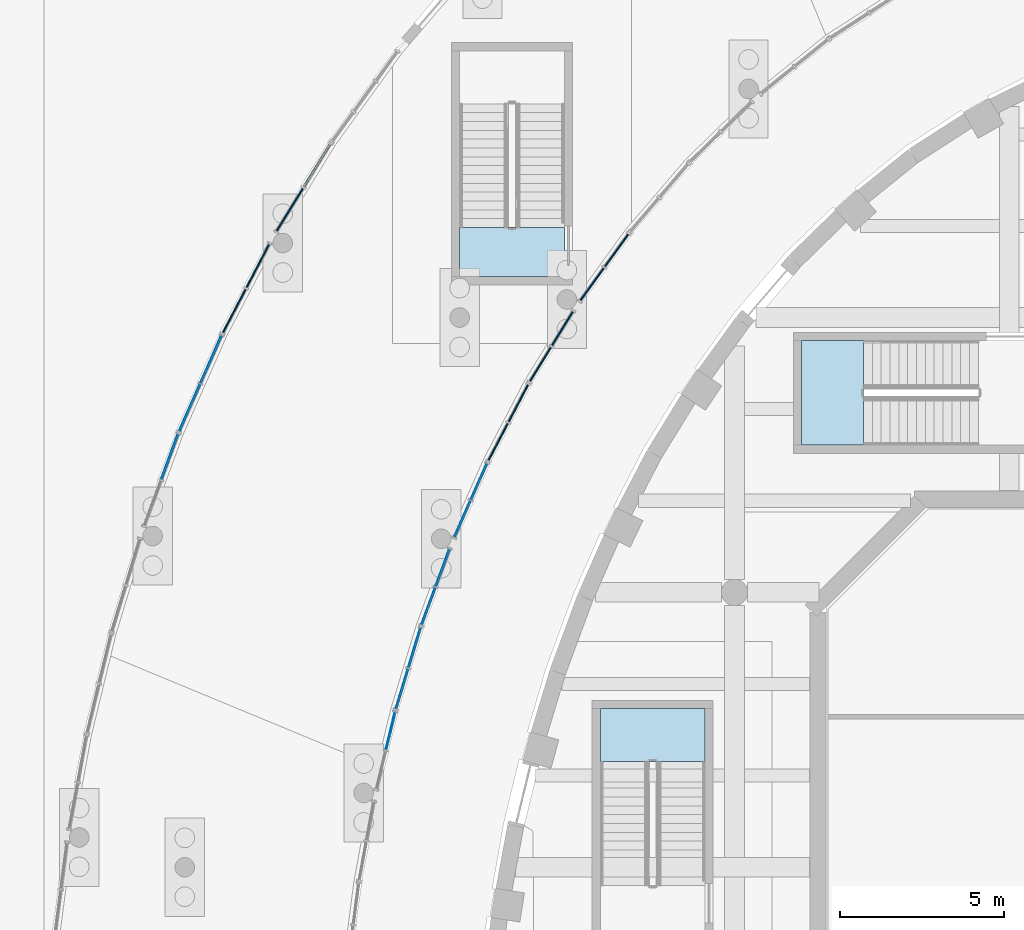
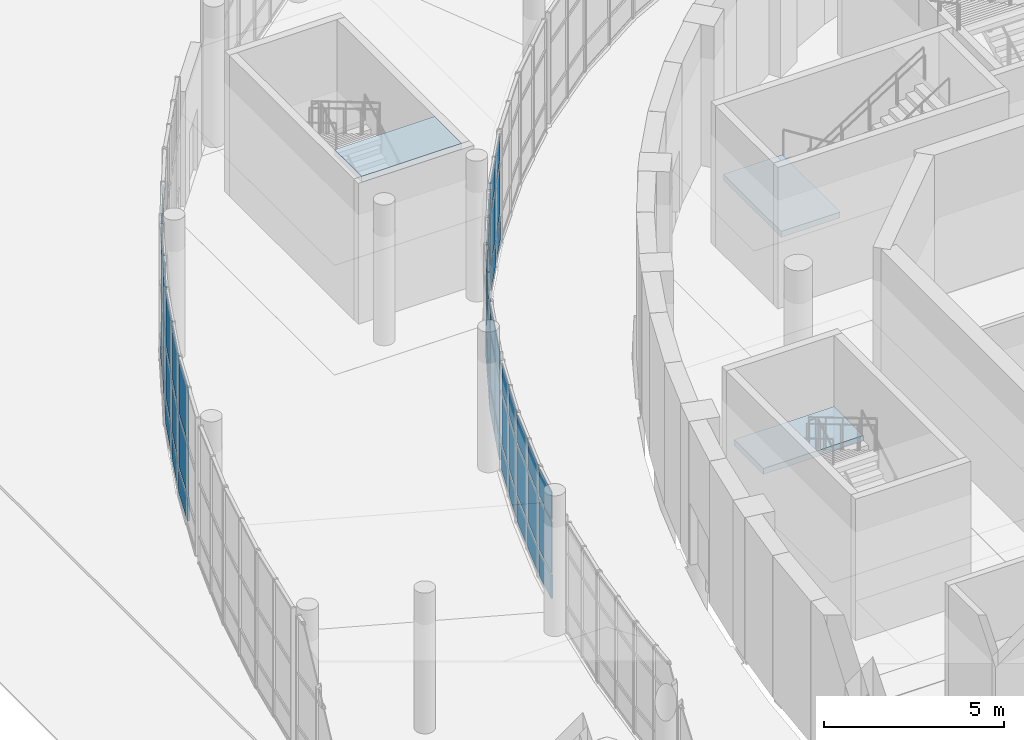
# One storey, part 47 of 110: 58 plates, 3 slabs, 14 elements without a shape of their own.
"""IFC4 building model written with IfcOpenShell, lengths in metres."""

from ifc_helpers import new_model, si_unit, direction, frame, origin, origin_2d, place, context, subcontext, project, spatial, polyline, rectangle, outline, extrude, material, layer, layer_set, type_object, element, aggregate, save


model = new_model("IFC4")

# Units and contexts
model_context = context("Model", 3, precision=1e-05, world=origin(), true_north=direction((0.0, 1.0)))
body_context = subcontext(model_context, "Body", "Model", "MODEL_VIEW")
ifc_project = project(units=[si_unit("LENGTHUNIT", "METRE"), si_unit("AREAUNIT", "SQUARE_METRE"), si_unit("VOLUMEUNIT", "CUBIC_METRE"), si_unit("PLANEANGLEUNIT", "RADIAN"), si_unit("MASSUNIT", "GRAM", prefix="KILO")], contexts=[model_context])

# Site, building, storey
site_placement = place(None, origin())
site = spatial("IfcSite", under=ifc_project, at=site_placement, CompositionType="ELEMENT")
building_placement = place(site_placement, origin())
building = spatial("IfcBuilding", under=site, at=building_placement, Name="Larchfold Concert Hall", CompositionType="ELEMENT")
storey_placement = place(building_placement, origin())
storey = spatial("IfcBuildingStorey", under=building, at=storey_placement, Name="L00", CompositionType="ELEMENT", Elevation=0.0)

# Curtain wall, plates
ifc_material_1 = material(Name="Anodised graphite aluminium curtain wall", Category="aluminium")
ifc_layer_1 = layer(ifc_material_1, 0.14990234375)
ifc_layer_set_1 = layer_set([ifc_layer_1], Name="Anodised graphite aluminium curtain wall")
curtain_wall_type = type_object("IfcCurtainWallType", Name="Curtain wall WG", PredefinedType="NOTDEFINED", material=ifc_layer_set_1)
curtain_wall_1_placement = place(storey_placement, origin())
curtain_wall_1 = element("IfcCurtainWall", 1, at=curtain_wall_1_placement, inside=storey, type_object=curtain_wall_type, Name="Curtain wall CW0075", PredefinedType="NOTDEFINED")
ifc_material_2 = material(Name="Insulated glazing unit, glass", Category="glass")
ifc_layer_2 = layer(ifc_material_2, 0.028076171875)
ifc_layer_set_2 = layer_set([ifc_layer_2], Name="Insulated glazing unit, glass")
plate_type_1 = type_object("IfcPlateType", Name="Glass panel 28", PredefinedType="CURTAIN_PANEL", material=ifc_layer_set_2)
plate_1_placement = place(storey_placement, frame((15.286865234375, 97.163818359375, 0.93994140625), z_axis=(0.0, 0.0, 1.0), x_axis=(0.235963339363, 0.971761957722, 0.0)))
plate_1 = element("IfcPlate", 2, at=plate_1_placement, type_object=plate_type_1, Name="CW0075 panel 2.2", PredefinedType="CURTAIN_PANEL", context=body_context, shape_type="SweptSolid", body=[
    extrude(rectangle(XDim=1.169677734375, YDim=0.028076171875, at=origin_2d()), origin(), (0.0, 0.0, 1.0), 1.719970703125),
])
plate_2_placement = place(storey_placement, frame((15.286865234375, 97.163818359375, 2.740234375), z_axis=(0.0, 0.0, 1.0), x_axis=(0.235963339363, 0.971761957722, 0.0)))
plate_2 = element("IfcPlate", 3, at=plate_2_placement, type_object=plate_type_1, Name="CW0075 panel 2.3", PredefinedType="CURTAIN_PANEL", context=body_context, shape_type="SweptSolid", body=[
    extrude(rectangle(XDim=1.169677734375, YDim=0.028076171875, at=origin_2d()), origin(), (0.0, 0.0, 1.0), 0.929931640625),
])

curtain_wall_2_placement = place(storey_placement, origin())
curtain_wall_2 = element("IfcCurtainWall", 4, at=curtain_wall_2_placement, inside=storey, type_object=curtain_wall_type, Name="Curtain wall CW0076", PredefinedType="NOTDEFINED")
plate_3_placement = place(storey_placement, frame((15.638671875, 98.447998046875, 0.93994140625), z_axis=(0.0, 0.0, 1.0), x_axis=(0.290561772224, 0.956856236078, 0.0)))
plate_3 = element("IfcPlate", 5, at=plate_3_placement, type_object=plate_type_1, Name="CW0076 panel 1.2", PredefinedType="CURTAIN_PANEL", context=body_context, shape_type="SweptSolid", body=[
    extrude(rectangle(XDim=1.25439453125, YDim=0.028076171875, at=origin_2d()), origin(), (0.0, 0.0, 1.0), 1.719970703125),
])
plate_4_placement = place(storey_placement, frame((15.638671875, 98.447998046875, 2.740234375), z_axis=(0.0, 0.0, 1.0), x_axis=(0.290561772224, 0.956856236078, 0.0)))
plate_4 = element("IfcPlate", 6, at=plate_4_placement, type_object=plate_type_1, Name="CW0076 panel 1.3", PredefinedType="CURTAIN_PANEL", context=body_context, shape_type="SweptSolid", body=[
    extrude(rectangle(XDim=1.25439453125, YDim=0.028076171875, at=origin_2d()), origin(), (0.0, 0.0, 1.0), 0.929931640625),
])
plate_5_placement = place(storey_placement, frame((16.0205078125, 99.705810546875, 0.93994140625), z_axis=(0.0, 0.0, 1.0), x_axis=(0.290561772224, 0.956856236078, 0.0)))
plate_5 = element("IfcPlate", 7, at=plate_5_placement, type_object=plate_type_1, Name="CW0076 panel 2.2", PredefinedType="CURTAIN_PANEL", context=body_context, shape_type="SweptSolid", body=[
    extrude(rectangle(XDim=1.25439453125, YDim=0.028076171875, at=origin_2d()), origin(), (0.0, 0.0, 1.0), 1.719970703125),
])
plate_6_placement = place(storey_placement, frame((16.0205078125, 99.705810546875, 2.740234375), z_axis=(0.0, 0.0, 1.0), x_axis=(0.290561772224, 0.956856236078, 0.0)))
plate_6 = element("IfcPlate", 8, at=plate_6_placement, type_object=plate_type_1, Name="CW0076 panel 2.3", PredefinedType="CURTAIN_PANEL", context=body_context, shape_type="SweptSolid", body=[
    extrude(rectangle(XDim=1.25439453125, YDim=0.028076171875, at=origin_2d()), origin(), (0.0, 0.0, 1.0), 0.929931640625),
])

curtain_wall_3_placement = place(storey_placement, origin())
curtain_wall_3 = element("IfcCurtainWall", 9, at=curtain_wall_3_placement, inside=storey, type_object=curtain_wall_type, Name="Curtain wall CW0077", PredefinedType="NOTDEFINED")
plate_7_placement = place(storey_placement, frame((16.447021484375, 100.977294921875, 0.93994140625), z_axis=(0.0, 0.0, 1.0), x_axis=(0.346611808768, 0.938008664151, 0.0)))
plate_7 = element("IfcPlate", 10, at=plate_7_placement, type_object=plate_type_1, Name="CW0077 panel 1.2", PredefinedType="CURTAIN_PANEL", context=body_context, shape_type="SweptSolid", body=[
    extrude(rectangle(XDim=1.189208984375, YDim=0.028076171875, at=origin_2d()), origin(), (0.0, 0.0, 1.0), 1.719970703125),
])
plate_8_placement = place(storey_placement, frame((16.447021484375, 100.977294921875, 2.740234375), z_axis=(0.0, 0.0, 1.0), x_axis=(0.346611808768, 0.938008664151, 0.0)))
plate_8 = element("IfcPlate", 11, at=plate_8_placement, type_object=plate_type_1, Name="CW0077 panel 1.3", PredefinedType="CURTAIN_PANEL", context=body_context, shape_type="SweptSolid", body=[
    extrude(rectangle(XDim=1.189208984375, YDim=0.028076171875, at=origin_2d()), origin(), (0.0, 0.0, 1.0), 0.929931640625),
])
plate_9_placement = place(storey_placement, frame((16.880126953125, 102.14892578125, 0.93994140625), z_axis=(0.0, 0.0, 1.0), x_axis=(0.346611808768, 0.938008664151, 0.0)))
plate_9 = element("IfcPlate", 12, at=plate_9_placement, type_object=plate_type_1, Name="CW0077 panel 2.2", PredefinedType="CURTAIN_PANEL", context=body_context, shape_type="SweptSolid", body=[
    extrude(rectangle(XDim=1.189208984375, YDim=0.028076171875, at=origin_2d()), origin(), (0.0, 0.0, 1.0), 1.719970703125),
])
plate_10_placement = place(storey_placement, frame((16.880126953125, 102.14892578125, 2.740234375), z_axis=(0.0, 0.0, 1.0), x_axis=(0.346611808768, 0.938008664151, 0.0)))
plate_10 = element("IfcPlate", 13, at=plate_10_placement, type_object=plate_type_1, Name="CW0077 panel 2.3", PredefinedType="CURTAIN_PANEL", context=body_context, shape_type="SweptSolid", body=[
    extrude(rectangle(XDim=1.189208984375, YDim=0.028076171875, at=origin_2d()), origin(), (0.0, 0.0, 1.0), 0.929931640625),
])

curtain_wall_4_placement = place(storey_placement, origin())
curtain_wall_4 = element("IfcCurtainWall", 14, at=curtain_wall_4_placement, inside=storey, type_object=curtain_wall_type, Name="Curtain wall CW0078", PredefinedType="NOTDEFINED")
plate_11_placement = place(storey_placement, frame((17.48583984375, 103.64208984375, 0.93994140625), z_axis=(0.0, 0.0, 1.0), x_axis=(0.404033536523, 0.914744172632, 0.0)))
plate_11 = element("IfcPlate", 15, at=plate_11_placement, type_object=plate_type_1, Name="CW0078 panel 1.2", PredefinedType="CURTAIN_PANEL", context=body_context, shape_type="SweptSolid", body=[
    extrude(rectangle(XDim=1.185791015625, YDim=0.028076171875, at=origin_2d()), origin(), (0.0, 0.0, 1.0), 1.719970703125),
])
plate_12_placement = place(storey_placement, frame((17.48583984375, 103.64208984375, 2.740234375), z_axis=(0.0, 0.0, 1.0), x_axis=(0.404033536523, 0.914744172632, 0.0)))
plate_12 = element("IfcPlate", 16, at=plate_12_placement, type_object=plate_type_1, Name="CW0078 panel 1.3", PredefinedType="CURTAIN_PANEL", context=body_context, shape_type="SweptSolid", body=[
    extrude(rectangle(XDim=1.185791015625, YDim=0.028076171875, at=origin_2d()), origin(), (0.0, 0.0, 1.0), 0.929931640625),
])
plate_13_placement = place(storey_placement, frame((17.989013671875, 104.781982421875, 0.93994140625), z_axis=(0.0, 0.0, 1.0), x_axis=(0.404033536523, 0.914744172632, 0.0)))
plate_13 = element("IfcPlate", 17, at=plate_13_placement, type_object=plate_type_1, Name="CW0078 panel 2.2", PredefinedType="CURTAIN_PANEL", context=body_context, shape_type="SweptSolid", body=[
    extrude(rectangle(XDim=1.185791015625, YDim=0.028076171875, at=origin_2d()), origin(), (0.0, 0.0, 1.0), 1.719970703125),
])
plate_14_placement = place(storey_placement, frame((17.989013671875, 104.781982421875, 2.740234375), z_axis=(0.0, 0.0, 1.0), x_axis=(0.404033536523, 0.914744172632, 0.0)))
plate_14 = element("IfcPlate", 18, at=plate_14_placement, type_object=plate_type_1, Name="CW0078 panel 2.3", PredefinedType="CURTAIN_PANEL", context=body_context, shape_type="SweptSolid", body=[
    extrude(rectangle(XDim=1.185791015625, YDim=0.028076171875, at=origin_2d()), origin(), (0.0, 0.0, 1.0), 0.929931640625),
])

curtain_wall_5_placement = place(storey_placement, origin())
curtain_wall_5 = element("IfcCurtainWall", 19, at=curtain_wall_5_placement, inside=storey, type_object=curtain_wall_type, Name="Curtain wall CW0079", PredefinedType="NOTDEFINED")
plate_15_placement = place(storey_placement, frame((18.576171875, 105.997802734375, 0.93994140625), z_axis=(0.0, 0.0, 1.0), x_axis=(0.46318881793, 0.886259622766, 0.0)))
plate_15 = element("IfcPlate", 20, at=plate_15_placement, type_object=plate_type_1, Name="CW0079 panel 1.2", PredefinedType="CURTAIN_PANEL", context=body_context, shape_type="SweptSolid", body=[
    extrude(rectangle(XDim=1.276123046875, YDim=0.028076171875, at=origin_2d()), origin(), (0.0, 0.0, 1.0), 1.719970703125),
])
plate_16_placement = place(storey_placement, frame((18.576171875, 105.997802734375, 2.740234375), z_axis=(0.0, 0.0, 1.0), x_axis=(0.46318881793, 0.886259622766, 0.0)))
plate_16 = element("IfcPlate", 21, at=plate_16_placement, type_object=plate_type_1, Name="CW0079 panel 1.3", PredefinedType="CURTAIN_PANEL", context=body_context, shape_type="SweptSolid", body=[
    extrude(rectangle(XDim=1.276123046875, YDim=0.028076171875, at=origin_2d()), origin(), (0.0, 0.0, 1.0), 0.929931640625),
])
plate_17_placement = place(storey_placement, frame((19.1953125, 107.18212890625, 0.93994140625), z_axis=(0.0, 0.0, 1.0), x_axis=(0.46318881793, 0.886259622766, 0.0)))
plate_17 = element("IfcPlate", 22, at=plate_17_placement, type_object=plate_type_1, Name="CW0079 panel 2.2", PredefinedType="CURTAIN_PANEL", context=body_context, shape_type="SweptSolid", body=[
    extrude(rectangle(XDim=1.276123046875, YDim=0.028076171875, at=origin_2d()), origin(), (0.0, 0.0, 1.0), 1.719970703125),
])
plate_18_placement = place(storey_placement, frame((19.1953125, 107.18212890625, 2.740234375), z_axis=(0.0, 0.0, 1.0), x_axis=(0.46318881793, 0.886259622766, 0.0)))
plate_18 = element("IfcPlate", 23, at=plate_18_placement, type_object=plate_type_1, Name="CW0079 panel 2.3", PredefinedType="CURTAIN_PANEL", context=body_context, shape_type="SweptSolid", body=[
    extrude(rectangle(XDim=1.276123046875, YDim=0.028076171875, at=origin_2d()), origin(), (0.0, 0.0, 1.0), 0.929931640625),
])

curtain_wall_6_placement = place(storey_placement, origin())
curtain_wall_6 = element("IfcCurtainWall", 24, at=curtain_wall_6_placement, inside=storey, type_object=curtain_wall_type, Name="Curtain wall CW0080", PredefinedType="NOTDEFINED")
plate_19_placement = place(storey_placement, frame((19.869384765625, 108.37109375, 0.93994140625), z_axis=(0.0, 0.0, 1.0), x_axis=(0.524102627808, 0.851655115363, 0.0)))
plate_19 = element("IfcPlate", 25, at=plate_19_placement, type_object=plate_type_1, Name="CW0080 panel 1.2", PredefinedType="CURTAIN_PANEL", context=body_context, shape_type="SweptSolid", body=[
    extrude(rectangle(XDim=1.21923828125, YDim=0.028076171875, at=origin_2d()), origin(), (0.0, 0.0, 1.0), 1.719970703125),
])
plate_20_placement = place(storey_placement, frame((19.869384765625, 108.37109375, 2.740234375), z_axis=(0.0, 0.0, 1.0), x_axis=(0.524102627808, 0.851655115363, 0.0)))
plate_20 = element("IfcPlate", 26, at=plate_20_placement, type_object=plate_type_1, Name="CW0080 panel 1.3", PredefinedType="CURTAIN_PANEL", context=body_context, shape_type="SweptSolid", body=[
    extrude(rectangle(XDim=1.21923828125, YDim=0.028076171875, at=origin_2d()), origin(), (0.0, 0.0, 1.0), 0.929931640625),
])
plate_21_placement = place(storey_placement, frame((20.5400390625, 109.46044921875, 0.93994140625), z_axis=(0.0, 0.0, 1.0), x_axis=(0.524102627808, 0.851655115363, 0.0)))
plate_21 = element("IfcPlate", 27, at=plate_21_placement, type_object=plate_type_1, Name="CW0080 panel 2.2", PredefinedType="CURTAIN_PANEL", context=body_context, shape_type="SweptSolid", body=[
    extrude(rectangle(XDim=1.21923828125, YDim=0.028076171875, at=origin_2d()), origin(), (0.0, 0.0, 1.0), 1.719970703125),
])
plate_22_placement = place(storey_placement, frame((20.5400390625, 109.46044921875, 2.740234375), z_axis=(0.0, 0.0, 1.0), x_axis=(0.524102627808, 0.851655115363, 0.0)))
plate_22 = element("IfcPlate", 28, at=plate_22_placement, type_object=plate_type_1, Name="CW0080 panel 2.3", PredefinedType="CURTAIN_PANEL", context=body_context, shape_type="SweptSolid", body=[
    extrude(rectangle(XDim=1.21923828125, YDim=0.028076171875, at=origin_2d()), origin(), (0.0, 0.0, 1.0), 0.929931640625),
])

curtain_wall_7_placement = place(storey_placement, origin())
curtain_wall_7 = element("IfcCurtainWall", 29, at=curtain_wall_7_placement, inside=storey, type_object=curtain_wall_type, Name="Curtain wall CW0081", PredefinedType="NOTDEFINED")
plate_23_placement = place(storey_placement, frame((21.447998046875, 110.81689453125, 0.93994140625), z_axis=(0.0, 0.0, 1.0), x_axis=(0.58658570496, 0.809887159261, 0.0)))
plate_23 = element("IfcPlate", 30, at=plate_23_placement, type_object=plate_type_1, Name="CW0081 panel 1.2", PredefinedType="CURTAIN_PANEL", context=body_context, shape_type="SweptSolid", body=[
    extrude(rectangle(XDim=1.2197265625, YDim=0.028076171875, at=origin_2d()), origin(), (0.0, 0.0, 1.0), 1.719970703125),
])
plate_24_placement = place(storey_placement, frame((21.447998046875, 110.81689453125, 2.740234375), z_axis=(0.0, 0.0, 1.0), x_axis=(0.58658570496, 0.809887159261, 0.0)))
plate_24 = element("IfcPlate", 31, at=plate_24_placement, type_object=plate_type_1, Name="CW0081 panel 1.3", PredefinedType="CURTAIN_PANEL", context=body_context, shape_type="SweptSolid", body=[
    extrude(rectangle(XDim=1.2197265625, YDim=0.028076171875, at=origin_2d()), origin(), (0.0, 0.0, 1.0), 0.929931640625),
])
plate_25_placement = place(storey_placement, frame((22.198486328125, 111.853515625, 0.93994140625), z_axis=(0.0, 0.0, 1.0), x_axis=(0.58658570496, 0.809887159261, 0.0)))
plate_25 = element("IfcPlate", 32, at=plate_25_placement, type_object=plate_type_1, Name="CW0081 panel 2.2", PredefinedType="CURTAIN_PANEL", context=body_context, shape_type="SweptSolid", body=[
    extrude(rectangle(XDim=1.2197265625, YDim=0.028076171875, at=origin_2d()), origin(), (0.0, 0.0, 1.0), 1.719970703125),
])
plate_26_placement = place(storey_placement, frame((22.198486328125, 111.853515625, 2.740234375), z_axis=(0.0, 0.0, 1.0), x_axis=(0.58658570496, 0.809887159261, 0.0)))
plate_26 = element("IfcPlate", 33, at=plate_26_placement, type_object=plate_type_1, Name="CW0081 panel 2.3", PredefinedType="CURTAIN_PANEL", context=body_context, shape_type="SweptSolid", body=[
    extrude(rectangle(XDim=1.2197265625, YDim=0.028076171875, at=origin_2d()), origin(), (0.0, 0.0, 1.0), 0.929931640625),
])

curtain_wall_8_placement = place(storey_placement, origin())
curtain_wall_8 = element("IfcCurtainWall", 34, at=curtain_wall_8_placement, inside=storey, type_object=curtain_wall_type, Name="Curtain wall CW0109", PredefinedType="NOTDEFINED")
plate_27_placement = place(storey_placement, frame((12.209716796875, 113.096435546875, 0.93994140625), z_axis=(0.0, 0.0, 1.0), x_axis=(-0.524080591715, -0.851668675828, 0.0)))
plate_27 = element("IfcPlate", 35, at=plate_27_placement, type_object=plate_type_1, Name="CW0109 panel 2.2", PredefinedType="CURTAIN_PANEL", context=body_context, shape_type="SweptSolid", body=[
    extrude(rectangle(XDim=1.5283203125, YDim=0.028076171875, at=origin_2d()), origin(), (0.0, 0.0, 1.0), 1.719970703125),
])
plate_28_placement = place(storey_placement, frame((12.209716796875, 113.096435546875, 2.740234375), z_axis=(0.0, 0.0, 1.0), x_axis=(-0.524080591715, -0.851668675828, 0.0)))
plate_28 = element("IfcPlate", 36, at=plate_28_placement, type_object=plate_type_1, Name="CW0109 panel 2.3", PredefinedType="CURTAIN_PANEL", context=body_context, shape_type="SweptSolid", body=[
    extrude(rectangle(XDim=1.5283203125, YDim=0.028076171875, at=origin_2d()), origin(), (0.0, 0.0, 1.0), 1.829833984375),
])

curtain_wall_9_placement = place(storey_placement, origin())
curtain_wall_9 = element("IfcCurtainWall", 37, at=curtain_wall_9_placement, inside=storey, type_object=curtain_wall_type, Name="Curtain wall CW0110", PredefinedType="NOTDEFINED")
plate_29_placement = place(storey_placement, frame((11.234619140625, 111.380615234375, 0.93994140625), z_axis=(0.0, 0.0, 1.0), x_axis=(-0.463123662795, -0.886293671962, 0.0)))
plate_29 = element("IfcPlate", 38, at=plate_29_placement, type_object=plate_type_1, Name="CW0110 panel 1.2", PredefinedType="CURTAIN_PANEL", context=body_context, shape_type="SweptSolid", body=[
    extrude(rectangle(XDim=1.49560546875, YDim=0.028076171875, at=origin_2d()), origin(), (0.0, 0.0, 1.0), 1.719970703125),
])
plate_30_placement = place(storey_placement, frame((11.234619140625, 111.380615234375, 2.740234375), z_axis=(0.0, 0.0, 1.0), x_axis=(-0.463123662795, -0.886293671962, 0.0)))
plate_30 = element("IfcPlate", 39, at=plate_30_placement, type_object=plate_type_1, Name="CW0110 panel 1.3", PredefinedType="CURTAIN_PANEL", context=body_context, shape_type="SweptSolid", body=[
    extrude(rectangle(XDim=1.49560546875, YDim=0.028076171875, at=origin_2d()), origin(), (0.0, 0.0, 1.0), 1.829833984375),
])
plate_31_placement = place(storey_placement, frame((10.513916015625, 110.001953125, 0.93994140625), z_axis=(0.0, 0.0, 1.0), x_axis=(-0.463123662795, -0.886293671962, 0.0)))
plate_31 = element("IfcPlate", 40, at=plate_31_placement, type_object=plate_type_1, Name="CW0110 panel 2.2", PredefinedType="CURTAIN_PANEL", context=body_context, shape_type="SweptSolid", body=[
    extrude(rectangle(XDim=1.49560546875, YDim=0.028076171875, at=origin_2d()), origin(), (0.0, 0.0, 1.0), 1.719970703125),
])
plate_32_placement = place(storey_placement, frame((10.513916015625, 110.001953125, 2.740234375), z_axis=(0.0, 0.0, 1.0), x_axis=(-0.463123662795, -0.886293671962, 0.0)))
plate_32 = element("IfcPlate", 41, at=plate_32_placement, type_object=plate_type_1, Name="CW0110 panel 2.3", PredefinedType="CURTAIN_PANEL", context=body_context, shape_type="SweptSolid", body=[
    extrude(rectangle(XDim=1.49560546875, YDim=0.028076171875, at=origin_2d()), origin(), (0.0, 0.0, 1.0), 1.829833984375),
])

curtain_wall_10_placement = place(storey_placement, origin())
curtain_wall_10 = element("IfcCurtainWall", 42, at=curtain_wall_10_placement, inside=storey, type_object=curtain_wall_type, Name="Curtain wall CW0111", PredefinedType="NOTDEFINED")
plate_33_placement = place(storey_placement, frame((9.801513671875, 108.52001953125, 0.93994140625), z_axis=(0.0, 0.0, 1.0), x_axis=(-0.404126294549, -0.914703196701, 0.0)))
plate_33 = element("IfcPlate", 43, at=plate_33_placement, type_object=plate_type_1, Name="CW0111 panel 1.2", PredefinedType="CURTAIN_PANEL", context=body_context, shape_type="SweptSolid", body=[
    extrude(rectangle(XDim=1.554443359375, YDim=0.028076171875, at=origin_2d()), origin(), (0.0, 0.0, 1.0), 1.719970703125),
])
plate_34_placement = place(storey_placement, frame((9.801513671875, 108.52001953125, 2.740234375), z_axis=(0.0, 0.0, 1.0), x_axis=(-0.404126294549, -0.914703196701, 0.0)))
plate_34 = element("IfcPlate", 44, at=plate_34_placement, type_object=plate_type_1, Name="CW0111 panel 1.3", PredefinedType="CURTAIN_PANEL", context=body_context, shape_type="SweptSolid", body=[
    extrude(rectangle(XDim=1.554443359375, YDim=0.028076171875, at=origin_2d()), origin(), (0.0, 0.0, 1.0), 1.829833984375),
])
plate_35_placement = place(storey_placement, frame((9.149169921875, 107.04345703125, 0.93994140625), z_axis=(0.0, 0.0, 1.0), x_axis=(-0.404126294549, -0.914703196701, 0.0)))
plate_35 = element("IfcPlate", 45, at=plate_35_placement, type_object=plate_type_1, Name="CW0111 panel 2.2", PredefinedType="CURTAIN_PANEL", context=body_context, shape_type="SweptSolid", body=[
    extrude(rectangle(XDim=1.554443359375, YDim=0.028076171875, at=origin_2d()), origin(), (0.0, 0.0, 1.0), 1.719970703125),
])
plate_36_placement = place(storey_placement, frame((9.149169921875, 107.04345703125, 2.740234375), z_axis=(0.0, 0.0, 1.0), x_axis=(-0.404126294549, -0.914703196701, 0.0)))
plate_36 = element("IfcPlate", 46, at=plate_36_placement, type_object=plate_type_1, Name="CW0111 panel 2.3", PredefinedType="CURTAIN_PANEL", context=body_context, shape_type="SweptSolid", body=[
    extrude(rectangle(XDim=1.554443359375, YDim=0.028076171875, at=origin_2d()), origin(), (0.0, 0.0, 1.0), 1.829833984375),
])

curtain_wall_11_placement = place(storey_placement, origin())
curtain_wall_11 = element("IfcCurtainWall", 47, at=curtain_wall_11_placement, inside=storey, type_object=curtain_wall_type, Name="Curtain wall CW0112", PredefinedType="NOTDEFINED")
plate_37_placement = place(storey_placement, frame((8.539306640625, 105.542724609375, 0.93994140625), z_axis=(0.0, 0.0, 1.0), x_axis=(-0.346592402451, -0.938015834921, 0.0)))
plate_37 = element("IfcPlate", 48, at=plate_37_placement, type_object=plate_type_1, Name="CW0112 panel 1.2", PredefinedType="CURTAIN_PANEL", context=body_context, shape_type="SweptSolid", body=[
    extrude(rectangle(XDim=1.446533203125, YDim=0.028076171875, at=origin_2d()), origin(), (0.0, 0.0, 1.0), 1.719970703125),
])
plate_38_placement = place(storey_placement, frame((8.539306640625, 105.542724609375, 2.740234375), z_axis=(0.0, 0.0, 1.0), x_axis=(-0.346592402451, -0.938015834921, 0.0)))
plate_38 = element("IfcPlate", 49, at=plate_38_placement, type_object=plate_type_1, Name="CW0112 panel 1.3", PredefinedType="CURTAIN_PANEL", context=body_context, shape_type="SweptSolid", body=[
    extrude(rectangle(XDim=1.446533203125, YDim=0.028076171875, at=origin_2d()), origin(), (0.0, 0.0, 1.0), 1.829833984375),
])

# Plate
ifc_material_3 = material(Name="White insulated panel")
ifc_layer_3 = layer(ifc_material_3, 0.06005859375)
ifc_layer_set_3 = layer_set([ifc_layer_3], Name="White insulated panel")
plate_type_2 = type_object("IfcPlateType", Name="Insulated spandrel panel 60", PredefinedType="CURTAIN_PANEL", material=ifc_layer_set_3)
plate_39_placement = place(storey_placement, frame((15.286865234375, 97.163818359375, 0.080078125), z_axis=(0.0, 0.0, 1.0), x_axis=(0.235963339363, 0.971761957722, 0.0)))
plate_39 = element("IfcPlate", 50, at=plate_39_placement, type_object=plate_type_2, Name="CW0075 panel 2.1", PredefinedType="CURTAIN_PANEL", context=body_context, shape_type="SweptSolid", body=[
    extrude(rectangle(XDim=1.169677734375, YDim=0.06005859375, at=origin_2d()), origin(), (0.0, 0.0, 1.0), 0.77978515625),
])

aggregate(curtain_wall_1, [plate_39, plate_1, plate_2])

plate_40_placement = place(storey_placement, frame((15.638671875, 98.447998046875, 0.080078125), z_axis=(0.0, 0.0, 1.0), x_axis=(0.290561772224, 0.956856236078, 0.0)))
plate_40 = element("IfcPlate", 51, at=plate_40_placement, type_object=plate_type_2, Name="CW0076 panel 1.1", PredefinedType="CURTAIN_PANEL", context=body_context, shape_type="SweptSolid", body=[
    extrude(rectangle(XDim=1.25439453125, YDim=0.06005859375, at=origin_2d()), origin(), (0.0, 0.0, 1.0), 0.77978515625),
])

plate_41_placement = place(storey_placement, frame((16.0205078125, 99.705810546875, 0.080078125), z_axis=(0.0, 0.0, 1.0), x_axis=(0.290561772224, 0.956856236078, 0.0)))
plate_41 = element("IfcPlate", 52, at=plate_41_placement, type_object=plate_type_2, Name="CW0076 panel 2.1", PredefinedType="CURTAIN_PANEL", context=body_context, shape_type="SweptSolid", body=[
    extrude(rectangle(XDim=1.25439453125, YDim=0.06005859375, at=origin_2d()), origin(), (0.0, 0.0, 1.0), 0.77978515625),
])

aggregate(curtain_wall_2, [plate_40, plate_3, plate_4, plate_41, plate_5, plate_6])

plate_42_placement = place(storey_placement, frame((16.447021484375, 100.977294921875, 0.080078125), z_axis=(0.0, 0.0, 1.0), x_axis=(0.346611808768, 0.938008664151, 0.0)))
plate_42 = element("IfcPlate", 53, at=plate_42_placement, type_object=plate_type_2, Name="CW0077 panel 1.1", PredefinedType="CURTAIN_PANEL", context=body_context, shape_type="SweptSolid", body=[
    extrude(rectangle(XDim=1.189208984375, YDim=0.06005859375, at=origin_2d()), origin(), (0.0, 0.0, 1.0), 0.77978515625),
])

plate_43_placement = place(storey_placement, frame((16.880126953125, 102.14892578125, 0.080078125), z_axis=(0.0, 0.0, 1.0), x_axis=(0.346611808768, 0.938008664151, 0.0)))
plate_43 = element("IfcPlate", 54, at=plate_43_placement, type_object=plate_type_2, Name="CW0077 panel 2.1", PredefinedType="CURTAIN_PANEL", context=body_context, shape_type="SweptSolid", body=[
    extrude(rectangle(XDim=1.189208984375, YDim=0.06005859375, at=origin_2d()), origin(), (0.0, 0.0, 1.0), 0.77978515625),
])

aggregate(curtain_wall_3, [plate_42, plate_7, plate_8, plate_43, plate_9, plate_10])

plate_44_placement = place(storey_placement, frame((17.48583984375, 103.64208984375, 0.080078125), z_axis=(0.0, 0.0, 1.0), x_axis=(0.404033536523, 0.914744172632, 0.0)))
plate_44 = element("IfcPlate", 55, at=plate_44_placement, type_object=plate_type_2, Name="CW0078 panel 1.1", PredefinedType="CURTAIN_PANEL", context=body_context, shape_type="SweptSolid", body=[
    extrude(rectangle(XDim=1.185791015625, YDim=0.06005859375, at=origin_2d()), origin(), (0.0, 0.0, 1.0), 0.77978515625),
])

plate_45_placement = place(storey_placement, frame((17.989013671875, 104.781982421875, 0.080078125), z_axis=(0.0, 0.0, 1.0), x_axis=(0.404033536523, 0.914744172632, 0.0)))
plate_45 = element("IfcPlate", 56, at=plate_45_placement, type_object=plate_type_2, Name="CW0078 panel 2.1", PredefinedType="CURTAIN_PANEL", context=body_context, shape_type="SweptSolid", body=[
    extrude(rectangle(XDim=1.185791015625, YDim=0.06005859375, at=origin_2d()), origin(), (0.0, 0.0, 1.0), 0.77978515625),
])

aggregate(curtain_wall_4, [plate_44, plate_11, plate_12, plate_45, plate_13, plate_14])

plate_46_placement = place(storey_placement, frame((18.576171875, 105.997802734375, 0.080078125), z_axis=(0.0, 0.0, 1.0), x_axis=(0.46318881793, 0.886259622766, 0.0)))
plate_46 = element("IfcPlate", 57, at=plate_46_placement, type_object=plate_type_2, Name="CW0079 panel 1.1", PredefinedType="CURTAIN_PANEL", context=body_context, shape_type="SweptSolid", body=[
    extrude(rectangle(XDim=1.276123046875, YDim=0.06005859375, at=origin_2d()), origin(), (0.0, 0.0, 1.0), 0.77978515625),
])

plate_47_placement = place(storey_placement, frame((19.1953125, 107.18212890625, 0.080078125), z_axis=(0.0, 0.0, 1.0), x_axis=(0.46318881793, 0.886259622766, 0.0)))
plate_47 = element("IfcPlate", 58, at=plate_47_placement, type_object=plate_type_2, Name="CW0079 panel 2.1", PredefinedType="CURTAIN_PANEL", context=body_context, shape_type="SweptSolid", body=[
    extrude(rectangle(XDim=1.276123046875, YDim=0.06005859375, at=origin_2d()), origin(), (0.0, 0.0, 1.0), 0.77978515625),
])

aggregate(curtain_wall_5, [plate_46, plate_15, plate_16, plate_47, plate_17, plate_18])

plate_48_placement = place(storey_placement, frame((19.869384765625, 108.37109375, 0.080078125), z_axis=(0.0, 0.0, 1.0), x_axis=(0.524102627808, 0.851655115363, 0.0)))
plate_48 = element("IfcPlate", 59, at=plate_48_placement, type_object=plate_type_2, Name="CW0080 panel 1.1", PredefinedType="CURTAIN_PANEL", context=body_context, shape_type="SweptSolid", body=[
    extrude(rectangle(XDim=1.21923828125, YDim=0.06005859375, at=origin_2d()), origin(), (0.0, 0.0, 1.0), 0.77978515625),
])

plate_49_placement = place(storey_placement, frame((20.5400390625, 109.46044921875, 0.080078125), z_axis=(0.0, 0.0, 1.0), x_axis=(0.524102627808, 0.851655115363, 0.0)))
plate_49 = element("IfcPlate", 60, at=plate_49_placement, type_object=plate_type_2, Name="CW0080 panel 2.1", PredefinedType="CURTAIN_PANEL", context=body_context, shape_type="SweptSolid", body=[
    extrude(rectangle(XDim=1.21923828125, YDim=0.06005859375, at=origin_2d()), origin(), (0.0, 0.0, 1.0), 0.77978515625),
])

aggregate(curtain_wall_6, [plate_48, plate_19, plate_20, plate_49, plate_21, plate_22])

plate_50_placement = place(storey_placement, frame((21.447998046875, 110.81689453125, 0.080078125), z_axis=(0.0, 0.0, 1.0), x_axis=(0.58658570496, 0.809887159261, 0.0)))
plate_50 = element("IfcPlate", 61, at=plate_50_placement, type_object=plate_type_2, Name="CW0081 panel 1.1", PredefinedType="CURTAIN_PANEL", context=body_context, shape_type="SweptSolid", body=[
    extrude(rectangle(XDim=1.2197265625, YDim=0.06005859375, at=origin_2d()), origin(), (0.0, 0.0, 1.0), 0.77978515625),
])

plate_51_placement = place(storey_placement, frame((22.198486328125, 111.853515625, 0.080078125), z_axis=(0.0, 0.0, 1.0), x_axis=(0.58658570496, 0.809887159261, 0.0)))
plate_51 = element("IfcPlate", 62, at=plate_51_placement, type_object=plate_type_2, Name="CW0081 panel 2.1", PredefinedType="CURTAIN_PANEL", context=body_context, shape_type="SweptSolid", body=[
    extrude(rectangle(XDim=1.2197265625, YDim=0.06005859375, at=origin_2d()), origin(), (0.0, 0.0, 1.0), 0.77978515625),
])

aggregate(curtain_wall_7, [plate_50, plate_23, plate_24, plate_51, plate_25, plate_26])

plate_52_placement = place(storey_placement, frame((13.042236328125, 114.44921875, 0.080078125), z_axis=(0.0, 0.0, 1.0), x_axis=(-0.524080591715, -0.851668675828, 0.0)))
plate_52 = element("IfcPlate", 63, at=plate_52_placement, type_object=plate_type_2, Name="CW0109 panel 1.1", PredefinedType="CURTAIN_PANEL", context=body_context, shape_type="SweptSolid", body=[
    extrude(rectangle(XDim=1.5283203125, YDim=0.06005859375, at=origin_2d()), origin(), (0.0, 0.0, 1.0), 0.77978515625),
])

plate_53_placement = place(storey_placement, frame((12.209716796875, 113.096435546875, 0.080078125), z_axis=(0.0, 0.0, 1.0), x_axis=(-0.524080591715, -0.851668675828, 0.0)))
plate_53 = element("IfcPlate", 64, at=plate_53_placement, type_object=plate_type_2, Name="CW0109 panel 2.1", PredefinedType="CURTAIN_PANEL", context=body_context, shape_type="SweptSolid", body=[
    extrude(rectangle(XDim=1.5283203125, YDim=0.06005859375, at=origin_2d()), origin(), (0.0, 0.0, 1.0), 0.77978515625),
])

aggregate(curtain_wall_8, [plate_52, plate_53, plate_27, plate_28])

plate_54_placement = place(storey_placement, frame((11.234619140625, 111.380615234375, 0.080078125), z_axis=(0.0, 0.0, 1.0), x_axis=(-0.463123662795, -0.886293671962, 0.0)))
plate_54 = element("IfcPlate", 65, at=plate_54_placement, type_object=plate_type_2, Name="CW0110 panel 1.1", PredefinedType="CURTAIN_PANEL", context=body_context, shape_type="SweptSolid", body=[
    extrude(rectangle(XDim=1.49560546875, YDim=0.06005859375, at=origin_2d()), origin(), (0.0, 0.0, 1.0), 0.77978515625),
])

plate_55_placement = place(storey_placement, frame((10.513916015625, 110.001953125, 0.080078125), z_axis=(0.0, 0.0, 1.0), x_axis=(-0.463123662795, -0.886293671962, 0.0)))
plate_55 = element("IfcPlate", 66, at=plate_55_placement, type_object=plate_type_2, Name="CW0110 panel 2.1", PredefinedType="CURTAIN_PANEL", context=body_context, shape_type="SweptSolid", body=[
    extrude(rectangle(XDim=1.49560546875, YDim=0.06005859375, at=origin_2d()), origin(), (0.0, 0.0, 1.0), 0.77978515625),
])

aggregate(curtain_wall_9, [plate_54, plate_29, plate_30, plate_55, plate_31, plate_32])

plate_56_placement = place(storey_placement, frame((9.801513671875, 108.52001953125, 0.080078125), z_axis=(0.0, 0.0, 1.0), x_axis=(-0.404126294549, -0.914703196701, 0.0)))
plate_56 = element("IfcPlate", 67, at=plate_56_placement, type_object=plate_type_2, Name="CW0111 panel 1.1", PredefinedType="CURTAIN_PANEL", context=body_context, shape_type="SweptSolid", body=[
    extrude(rectangle(XDim=1.554443359375, YDim=0.06005859375, at=origin_2d()), origin(), (0.0, 0.0, 1.0), 0.77978515625),
])

plate_57_placement = place(storey_placement, frame((9.149169921875, 107.04345703125, 0.080078125), z_axis=(0.0, 0.0, 1.0), x_axis=(-0.404126294549, -0.914703196701, 0.0)))
plate_57 = element("IfcPlate", 68, at=plate_57_placement, type_object=plate_type_2, Name="CW0111 panel 2.1", PredefinedType="CURTAIN_PANEL", context=body_context, shape_type="SweptSolid", body=[
    extrude(rectangle(XDim=1.554443359375, YDim=0.06005859375, at=origin_2d()), origin(), (0.0, 0.0, 1.0), 0.77978515625),
])

aggregate(curtain_wall_10, [plate_56, plate_33, plate_34, plate_57, plate_35, plate_36])

plate_58_placement = place(storey_placement, frame((8.539306640625, 105.542724609375, 0.080078125), z_axis=(0.0, 0.0, 1.0), x_axis=(-0.346592402451, -0.938015834921, 0.0)))
plate_58 = element("IfcPlate", 69, at=plate_58_placement, type_object=plate_type_2, Name="CW0112 panel 1.1", PredefinedType="CURTAIN_PANEL", context=body_context, shape_type="SweptSolid", body=[
    extrude(rectangle(XDim=1.446533203125, YDim=0.06005859375, at=origin_2d()), origin(), (0.0, 0.0, 1.0), 0.77978515625),
])

aggregate(curtain_wall_11, [plate_58, plate_37, plate_38])

# Stair, slab
ifc_material_4 = material(Name="Concrete C35/45", Category="concrete")
stair_type = type_object("IfcStairType", Name="Stair RC half-turn enclosed", PredefinedType="HALF_TURN_STAIR", material=ifc_material_4)
stair_1_placement = place(storey_placement, origin())
stair_1 = element("IfcStair", 70, at=stair_1_placement, inside=storey, type_object=stair_type, Name="Stair DS3", PredefinedType="HALF_TURN_STAIR")
ifc_material_5 = material(Name="Concrete C35/45", Category="concrete")
ifc_layer_4 = layer(ifc_material_5, 0.199951171875)
ifc_layer_set_4 = layer_set([ifc_layer_4], Name="Concrete C35/45")
slab_type = type_object("IfcSlabType", Name="Stair landing RC 200", PredefinedType="LANDING", material=ifc_layer_set_4)
slab_1_placement = place(storey_placement, frame((0.0, 0.0, 2.199951171875)))
slab_1 = element("IfcSlab", 71, at=slab_1_placement, type_object=slab_type, Name="ST03 landing 1", PredefinedType="LANDING", context=body_context, shape_type="SweptSolid", body=[
    extrude(outline(polyline([(29.739990234375, 109.10009765625), (27.85009765625, 109.10009765625), (27.85009765625, 105.900146484375), (29.739990234375, 105.900146484375), (29.739990234375, 109.10009765625)])), origin(), (0.0, 0.0, 1.0), 0.199951171875),
])
aggregate(stair_1, [slab_1])

stair_2_placement = place(storey_placement, origin())
stair_2 = element("IfcStair", 72, at=stair_2_placement, inside=storey, type_object=stair_type, Name="Stair DS4", PredefinedType="HALF_TURN_STAIR")
slab_2_placement = place(storey_placement, frame((0.0, 0.0, 2.199951171875)))
slab_2 = element("IfcSlab", 73, at=slab_2_placement, type_object=slab_type, Name="ST04 landing 1", PredefinedType="LANDING", context=body_context, shape_type="SweptSolid", body=[
    extrude(outline(polyline([(24.89990234375, 96.22998046875), (24.89990234375, 97.85009765625), (21.699951171875, 97.85009765625), (21.699951171875, 96.22998046875), (24.89990234375, 96.22998046875)])), origin(), (0.0, 0.0, 1.0), 0.199951171875),
])
aggregate(stair_2, [slab_2])

stair_3_placement = place(storey_placement, origin())
stair_3 = element("IfcStair", 74, at=stair_3_placement, inside=storey, type_object=stair_type, Name="Stair WG3", PredefinedType="HALF_TURN_STAIR")
slab_3_placement = place(storey_placement, frame((0.0, 0.0, 4.60009765625)))
slab_3 = element("IfcSlab", 75, at=slab_3_placement, type_object=slab_type, Name="ST25 landing 2", PredefinedType="LANDING", context=body_context, shape_type="SweptSolid", body=[
    extrude(outline(polyline([(20.60009765625, 111.050048828125), (20.60009765625, 112.550048828125), (17.39990234375, 112.550048828125), (17.39990234375, 111.050048828125), (20.60009765625, 111.050048828125)])), origin(), (0.0, 0.0, 1.0), 0.199951171875),
])
aggregate(stair_3, [slab_3])

save(model, "model.ifc")
